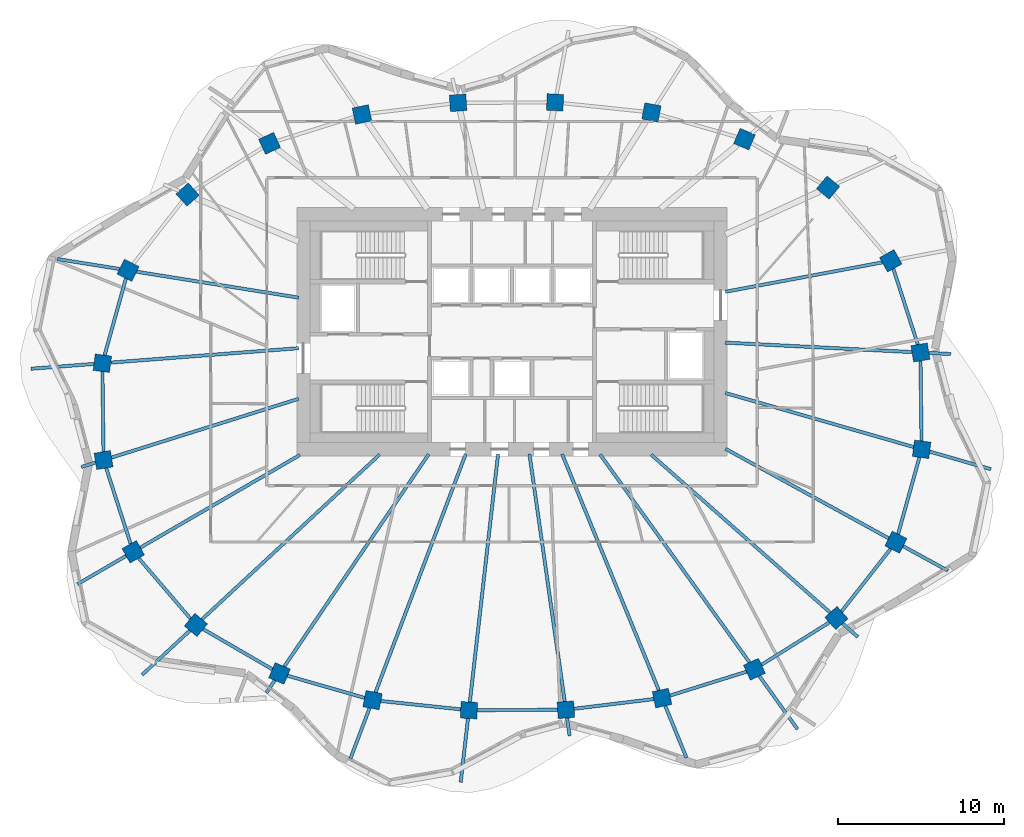
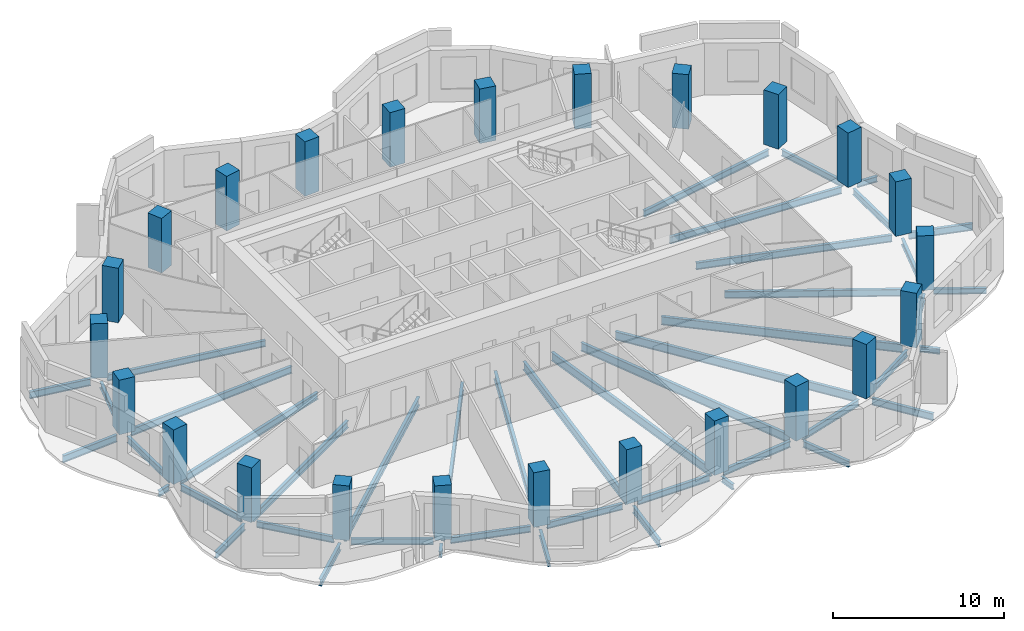
# One storey, part 1 of 10: 46 beams, 24 columns.
"""IFC4 building model written with IfcOpenShell, lengths in metres."""

from ifc_helpers import new_model, si_unit, direction, frame, origin, origin_2d, place, context, subcontext, project, spatial, rectangle, i_section, extrude, material, material_profile, profile_set, type_object, element, save


model = new_model("IFC4")

# Units and contexts
model_context = context("Model", 3, precision=1e-05, world=origin(), true_north=direction((0.0, 1.0)))
body_context = subcontext(model_context, "Body", "Model", "MODEL_VIEW")
ifc_project = project(units=[si_unit("LENGTHUNIT", "METRE"), si_unit("AREAUNIT", "SQUARE_METRE"), si_unit("VOLUMEUNIT", "CUBIC_METRE"), si_unit("PLANEANGLEUNIT", "RADIAN"), si_unit("MASSUNIT", "GRAM", prefix="KILO")], contexts=[model_context])

# Site, building, storey
site_placement = place(None, origin())
site = spatial("IfcSite", under=ifc_project, at=site_placement, CompositionType="ELEMENT")
building_placement = place(site_placement, origin())
building = spatial("IfcBuilding", under=site, at=building_placement, Name="Rubra Terraces Tower", CompositionType="ELEMENT")
storey_placement = place(building_placement, frame((0.0, 0.0, 256.5)))
storey = spatial("IfcBuildingStorey", under=building, at=storey_placement, Name="L63", CompositionType="ELEMENT", Elevation=256.5)

# Columns
ifc_material_1 = material(Name="Concrete C50", Category="concrete")
ifc_material_profile_1 = material_profile(ifc_material_1, rectangle(XDim=1.0, YDim=1.0, at=origin_2d()), Name="RC 1000x1000")
ifc_profile_set_1 = profile_set([ifc_material_profile_1], Name="Concrete C50")
column_type = type_object("IfcColumnType", Name="RING COLUMN RC 1000x1000 C50", PredefinedType="COLUMN", material=ifc_profile_set_1)
for number, where, z_axis, x_axis, name in (
    (1, (24.6689453125, 3.248046875, 0.0), (0.0, 0.0, 1.0), (-0.161559167715, 0.986863027642, 0.0), "column-L63-ring-01"),
    (2, (22.87890625, 8.787109375, 0.0), (0.0, 0.0, 1.0), (-0.48852601316, 0.872549330678, 0.0), "column-L63-ring-02"),
    (3, (19.092041015625, 13.208984375, 0.0), (0.0, 0.0, 1.0), (-0.76886986222, 0.63940529789, 0.0), "column-L63-ring-03"),
    (4, (14.0419921875, 16.135986328125, 0.0), (0.0, 0.0, 1.0), (-0.920167856842, 0.391524092789, 0.0), "column-L63-ring-04"),
    (5, (8.422119140625, 17.7490234375, 0.0), (0.0, 0.0, 1.0), (-0.981654668733, 0.19066754143, 0.0), "column-L63-ring-05"),
    (6, (2.60205078125, 18.35791015625, 0.0), (0.0, 0.0, 1.0), (-0.998764256028, 0.049698700995, 0.0), "column-L63-ring-06"),
    (7, (-3.25390625, 18.330078125, 0.0), (0.0, 0.0, 1.0), (-0.998031548759, -0.062713855578, 0.0), "column-L63-ring-07"),
    (8, (-9.06298828125, 17.625, 0.0), (0.0, 0.0, 1.0), (-0.977652674797, -0.210226657352, 0.0), "column-L63-ring-08"),
    (9, (-14.64306640625, 15.881103515625, 0.0), (0.0, 0.0, 1.0), (-0.908778580451, -0.417278673927, 0.0), "column-L63-ring-09"),
    (10, (-19.593017578125, 12.7900390625, 0.0), (0.0, 0.0, 1.0), (-0.744021317198, -0.668155879683, 0.0), "column-L63-ring-10"),
    (11, (-23.18505859375, 8.2099609375, 0.0), (0.0, 0.0, 1.0), (-0.451027931402, -0.892509834733, 0.0), "column-L63-ring-11"),
    (12, (-24.742919921875, 2.59912109375, 0.0), (0.0, 0.0, 1.0), (-0.128443684554, -0.991716804283, 0.0), "column-L63-ring-12"),
    (13, (-24.6689453125, -3.248046875, 0.0), (0.0, 0.0, 1.0), (0.161559167715, -0.986863027642, 0.0), "column-L63-ring-13"),
    (14, (-22.87890625, -8.787109375, 0.0), (0.0, 0.0, 1.0), (0.48852601316, -0.872549330678, 0.0), "column-L63-ring-14"),
    (15, (-19.092041015625, -13.208984375, 0.0), (0.0, 0.0, 1.0), (0.76886986222, -0.63940529789, 0.0), "column-L63-ring-15"),
    (16, (-14.0419921875, -16.135986328125, 0.0), (0.0, 0.0, 1.0), (0.920167856842, -0.391524092789, 0.0), "column-L63-ring-16"),
    (17, (-8.422119140625, -17.7490234375, 0.0), (0.0, 0.0, 1.0), (0.981654668733, -0.19066754143, 0.0), "column-L63-ring-17"),
    (18, (-2.60205078125, -18.35791015625, 0.0), (0.0, 0.0, 1.0), (0.998764256028, -0.049698700995, 0.0), "column-L63-ring-18"),
    (19, (3.25390625, -18.330078125, 0.0), (0.0, 0.0, 1.0), (0.998031548759, 0.062713855578, 0.0), "column-L63-ring-19"),
    (20, (9.06298828125, -17.625, 0.0), (0.0, 0.0, 1.0), (0.977652674797, 0.210226657352, 0.0), "column-L63-ring-20"),
    (21, (14.64306640625, -15.881103515625, 0.0), (0.0, 0.0, 1.0), (0.908778580451, 0.417278673927, 0.0), "column-L63-ring-21"),
    (22, (19.593017578125, -12.7900390625, 0.0), (0.0, 0.0, 1.0), (0.744021317198, 0.668155879683, 0.0), "column-L63-ring-22"),
    (23, (23.18505859375, -8.2099609375, 0.0), (0.0, 0.0, 1.0), (0.451027931402, 0.892509834733, 0.0), "column-L63-ring-23"),
    (24, (24.742919921875, -2.59912109375, 0.0), (0.0, 0.0, 1.0), (0.128443684554, 0.991716804283, 0.0), "column-L63-ring-24"),
):
    element("IfcColumn", number, at=place(storey_placement, frame(where, z_axis=z_axis, x_axis=x_axis)), inside=storey, type_object=column_type, Name=name, PredefinedType="COLUMN", context=body_context, shape_type="SweptSolid", body=[
        extrude(rectangle(XDim=1.0, YDim=1.0, at=origin_2d()), origin(), (0.0, 0.0, 1.0), 3.89990234375),
    ])

# Beams
ifc_material_2 = material(Name="Steel Q355B", Category="steel")
ifc_material_profile_2 = material_profile(ifc_material_2, i_section(OverallWidth=0.199951171875, OverallDepth=0.39990234375, WebThickness=0.008056640625, FlangeThickness=0.012939453125, at=origin_2d()), Name="HN 400x200x8x13")
ifc_profile_set_2 = profile_set([ifc_material_profile_2], Name="Steel Q355B")
beam_type_1 = type_object("IfcBeamType", Name="CANTILEVER BEAM HN 400x200x8x13", PredefinedType="BEAM", material=ifc_profile_set_2)
beam_1_placement = place(storey_placement, frame((23.6240234375, -8.449951171875, -0.39990234375), z_axis=(0.876753057926, -0.480940823197, 0.0), x_axis=(0.480940823197, 0.876753057926, 0.0)))
element("IfcBeam", 25, at=beam_1_placement, inside=storey, type_object=beam_type_1, Name="beam-L63-cant-23", PredefinedType="BEAM", context=body_context, shape_type="SweptSolid", body=[
    extrude(i_section(OverallWidth=0.199951171875, OverallDepth=0.39990234375, WebThickness=0.008056640625, FlangeThickness=0.012939453125, at=origin_2d()), origin(), (0.0, 0.0, 1.0), 3.0771484375),
])
ifc_material_profile_3 = material_profile(ifc_material_2, i_section(OverallWidth=0.198974609375, OverallDepth=0.446044921875, WebThickness=0.008056640625, FlangeThickness=0.011962890625, at=origin_2d()), Name="HN 446x199x8x12")
ifc_profile_set_3 = profile_set([ifc_material_profile_3], Name="Steel Q355B")
beam_type_2 = type_object("IfcBeamType", Name="CANTILEVER BEAM HN 446x199x8x12", PredefinedType="BEAM", material=ifc_profile_set_3)
beam_2_placement = place(storey_placement, frame((-23.31103515625, -9.0380859375, -0.423095703125), z_axis=(-0.864731547831, -0.50223435783, 0.0), x_axis=(0.50223435783, -0.864731547831, 0.0)))
element("IfcBeam", 26, at=beam_2_placement, inside=storey, type_object=beam_type_2, Name="beam-L63-cant-14", PredefinedType="BEAM", context=body_context, shape_type="SweptSolid", body=[
    extrude(i_section(OverallWidth=0.198974609375, OverallDepth=0.446044921875, WebThickness=0.008056640625, FlangeThickness=0.011962890625, at=origin_2d()), origin(), (0.0, 0.0, 1.0), 3.396484375),
])
beam_3_placement = place(storey_placement, frame((-8.60205078125, -18.222900390625, -0.423095703125), z_axis=(-0.353886787497, -0.935288266597, 0.0), x_axis=(0.935288266597, -0.353886787497, 0.0)))
element("IfcBeam", 27, at=beam_3_placement, inside=storey, type_object=beam_type_2, Name="beam-L63-cant-17", PredefinedType="BEAM", context=body_context, shape_type="SweptSolid", body=[
    extrude(i_section(OverallWidth=0.198974609375, OverallDepth=0.446044921875, WebThickness=0.008056640625, FlangeThickness=0.011962890625, at=origin_2d()), origin(), (0.0, 0.0, 1.0), 3.260986328125),
])
beam_4_placement = place(storey_placement, frame((9.256103515625, -18.094970703125, -0.423095703125), z_axis=(0.378957804719, -0.925413951831, 0.0), x_axis=(0.925413951831, 0.378957804719, 0.0)))
element("IfcBeam", 28, at=beam_4_placement, inside=storey, type_object=beam_type_2, Name="beam-L63-cant-20", PredefinedType="BEAM", context=body_context, shape_type="SweptSolid", body=[
    extrude(i_section(OverallWidth=0.198974609375, OverallDepth=0.446044921875, WebThickness=0.008056640625, FlangeThickness=0.011962890625, at=origin_2d()), origin(), (0.0, 0.0, 1.0), 3.393310546875),
])
ifc_material_profile_4 = material_profile(ifc_material_2, i_section(OverallWidth=0.198974609375, OverallDepth=0.49609375, WebThickness=0.009033203125, FlangeThickness=0.013916015625, at=origin_2d()), Name="HN 496x199x9x14")
ifc_profile_set_4 = profile_set([ifc_material_profile_4], Name="Steel Q355B")
beam_type_3 = type_object("IfcBeamType", Name="CANTILEVER BEAM HN 496x199x9x14", PredefinedType="BEAM", material=ifc_profile_set_4)
beam_5_placement = place(storey_placement, frame((-23.702880859375, 8.29296875, -0.447998046875), z_axis=(-0.98745581053, 0.157895605548, 0.0), x_axis=(-0.157895605548, -0.98745581053, 0.0)))
element("IfcBeam", 29, at=beam_5_placement, inside=storey, type_object=beam_type_3, Name="beam-L63-cant-11", PredefinedType="BEAM", context=body_context, shape_type="SweptSolid", body=[
    extrude(i_section(OverallWidth=0.198974609375, OverallDepth=0.49609375, WebThickness=0.009033203125, FlangeThickness=0.013916015625, at=origin_2d()), origin(), (0.0, 0.0, 1.0), 3.81298828125),
])
beam_6_placement = place(storey_placement, frame((-25.251953125, 2.56005859375, -0.447998046875), z_axis=(-0.997068393292, -0.076515482732, 0.0), x_axis=(0.076515482732, -0.997068393292, 0.0)))
element("IfcBeam", 30, at=beam_6_placement, inside=storey, type_object=beam_type_3, Name="beam-L63-cant-12", PredefinedType="BEAM", context=body_context, shape_type="SweptSolid", body=[
    extrude(i_section(OverallWidth=0.198974609375, OverallDepth=0.49609375, WebThickness=0.009033203125, FlangeThickness=0.013916015625, at=origin_2d()), origin(), (0.0, 0.0, 1.0), 3.816162109375),
])
beam_7_placement = place(storey_placement, frame((-19.4619140625, -13.552001953125, -0.447998046875), z_axis=(-0.733256316267, -0.679952332634, 0.0), x_axis=(0.679952332634, -0.733256316267, 0.0)))
element("IfcBeam", 31, at=beam_7_placement, inside=storey, type_object=beam_type_3, Name="beam-L63-cant-15", PredefinedType="BEAM", context=body_context, shape_type="SweptSolid", body=[
    extrude(i_section(OverallWidth=0.198974609375, OverallDepth=0.49609375, WebThickness=0.009033203125, FlangeThickness=0.013916015625, at=origin_2d()), origin(), (0.0, 0.0, 1.0), 3.92529296875),
])
beam_8_placement = place(storey_placement, frame((-2.658935546875, -18.85595703125, -0.447998046875), z_axis=(-0.113002967093, -0.993594650463, 0.0), x_axis=(0.993594650463, -0.113002967093, 0.0)))
element("IfcBeam", 32, at=beam_8_placement, inside=storey, type_object=beam_type_3, Name="beam-L63-cant-18", PredefinedType="BEAM", context=body_context, shape_type="SweptSolid", body=[
    extrude(i_section(OverallWidth=0.198974609375, OverallDepth=0.49609375, WebThickness=0.009033203125, FlangeThickness=0.013916015625, at=origin_2d()), origin(), (0.0, 0.0, 1.0), 3.8759765625),
])
beam_9_placement = place(storey_placement, frame((14.93994140625, -16.294921875, -0.447998046875), z_axis=(0.583477927211, -0.812128997424, 0.0), x_axis=(0.812128997424, 0.583477927211, 0.0)))
element("IfcBeam", 33, at=beam_9_placement, inside=storey, type_object=beam_type_3, Name="beam-L63-cant-21", PredefinedType="BEAM", context=body_context, shape_type="SweptSolid", body=[
    extrude(i_section(OverallWidth=0.198974609375, OverallDepth=0.49609375, WebThickness=0.009033203125, FlangeThickness=0.013916015625, at=origin_2d()), origin(), (0.0, 0.0, 1.0), 3.9453125),
])
beam_10_placement = place(storey_placement, frame((25.22900390625, -2.738037109375, -0.447998046875), z_axis=(0.961168845491, -0.275960958213, 0.0), x_axis=(0.275960958213, 0.961168845491, 0.0)))
element("IfcBeam", 34, at=beam_10_placement, inside=storey, type_object=beam_type_3, Name="beam-L63-cant-24", PredefinedType="BEAM", context=body_context, shape_type="SweptSolid", body=[
    extrude(i_section(OverallWidth=0.198974609375, OverallDepth=0.49609375, WebThickness=0.009033203125, FlangeThickness=0.013916015625, at=origin_2d()), origin(), (0.0, 0.0, 1.0), 3.848388671875),
])
ifc_material_profile_5 = material_profile(ifc_material_2, i_section(OverallWidth=0.199951171875, OverallDepth=0.39990234375, WebThickness=0.008056640625, FlangeThickness=0.012939453125, at=origin_2d()), Name="HN 400x200x8x13")
ifc_profile_set_5 = profile_set([ifc_material_profile_5], Name="Steel Q355B")
beam_type_4 = type_object("IfcBeamType", Name="CANTILEVER STUB HN 400x200x8x13", PredefinedType="BEAM", material=ifc_profile_set_5)
beam_11_placement = place(storey_placement, frame((25.179931640625, 3.221923828125, -0.39990234375), z_axis=(0.998722263749, -0.050535530982, 0.0), x_axis=(0.050535530982, 0.998722263749, 0.0)))
element("IfcBeam", 35, at=beam_11_placement, inside=storey, type_object=beam_type_4, Name="beam-L63-cant-01", PredefinedType="BEAM", context=body_context, shape_type="SweptSolid", body=[
    extrude(i_section(OverallWidth=0.199951171875, OverallDepth=0.39990234375, WebThickness=0.008056640625, FlangeThickness=0.012939453125, at=origin_2d()), origin(), (0.0, 0.0, 1.0), 1.32373046875),
])
beam_12_placement = place(storey_placement, frame((-25.15087890625, -3.39892578125, -0.39990234375), z_axis=(-0.953893863058, -0.300144128746, 0.0), x_axis=(0.300144128746, -0.953893863058, 0.0)))
element("IfcBeam", 36, at=beam_12_placement, inside=storey, type_object=beam_type_4, Name="beam-L63-cant-13", PredefinedType="BEAM", context=body_context, shape_type="SweptSolid", body=[
    extrude(i_section(OverallWidth=0.199951171875, OverallDepth=0.39990234375, WebThickness=0.008056640625, FlangeThickness=0.012939453125, at=origin_2d()), origin(), (0.0, 0.0, 1.0), 0.899658203125),
])
beam_13_placement = place(storey_placement, frame((-14.3291015625, -16.556884765625, -0.39990234375), z_axis=(-0.56169208574, -0.827346360853, 0.0), x_axis=(0.827346360853, -0.56169208574, 0.0)))
element("IfcBeam", 37, at=beam_13_placement, inside=storey, type_object=beam_type_4, Name="beam-L63-cant-16", PredefinedType="BEAM", context=body_context, shape_type="SweptSolid", body=[
    extrude(i_section(OverallWidth=0.199951171875, OverallDepth=0.39990234375, WebThickness=0.008056640625, FlangeThickness=0.012939453125, at=origin_2d()), origin(), (0.0, 0.0, 1.0), 0.907958984375),
])
beam_14_placement = place(storey_placement, frame((3.324951171875, -18.826904296875, -0.39990234375), z_axis=(0.14107703922, -0.989998620709, 0.0), x_axis=(0.989998620709, 0.14107703922, 0.0)))
element("IfcBeam", 38, at=beam_14_placement, inside=storey, type_object=beam_type_4, Name="beam-L63-cant-19", PredefinedType="BEAM", context=body_context, shape_type="SweptSolid", body=[
    extrude(i_section(OverallWidth=0.199951171875, OverallDepth=0.39990234375, WebThickness=0.008056640625, FlangeThickness=0.012939453125, at=origin_2d()), origin(), (0.0, 0.0, 1.0), 1.092041015625),
])
beam_15_placement = place(storey_placement, frame((19.969970703125, -13.123046875, -0.39990234375), z_axis=(0.749756467988, -0.66171386468, 0.0), x_axis=(0.66171386468, 0.749756467988, 0.0)))
element("IfcBeam", 39, at=beam_15_placement, inside=storey, type_object=beam_type_4, Name="beam-L63-cant-22", PredefinedType="BEAM", context=body_context, shape_type="SweptSolid", body=[
    extrude(i_section(OverallWidth=0.199951171875, OverallDepth=0.39990234375, WebThickness=0.008056640625, FlangeThickness=0.012939453125, at=origin_2d()), origin(), (0.0, 0.0, 1.0), 1.2255859375),
])
ifc_material_profile_6 = material_profile(ifc_material_2, i_section(OverallWidth=0.198974609375, OverallDepth=0.446044921875, WebThickness=0.008056640625, FlangeThickness=0.011962890625, at=origin_2d()), Name="HN 446x199x8x12")
ifc_profile_set_6 = profile_set([ifc_material_profile_6], Name="Steel Q355B")
beam_type_5 = type_object("IfcBeamType", Name="FLOOR BEAM HN 446x199x8x12", PredefinedType="BEAM", material=ifc_profile_set_6)
beam_16_placement = place(storey_placement, frame((22.360107421875, 8.68994140625, -0.423095703125), z_axis=(-0.982895681695, -0.18416318553, 0.0), x_axis=(0.18416318553, -0.982895681695, 0.0)))
element("IfcBeam", 40, at=beam_16_placement, inside=storey, type_object=beam_type_5, Name="beam-L63-floor-02", PredefinedType="BEAM", context=body_context, shape_type="SweptSolid", body=[
    extrude(i_section(OverallWidth=0.198974609375, OverallDepth=0.446044921875, WebThickness=0.008056640625, FlangeThickness=0.011962890625, at=origin_2d()), origin(), (0.0, 0.0, 1.0), 9.64306640625),
])
beam_17_placement = place(storey_placement, frame((-22.6669921875, 8.126953125, -0.423095703125), z_axis=(0.987435404133, -0.158023171289, 0.0), x_axis=(0.158023171289, 0.987435404133, 0.0)))
element("IfcBeam", 41, at=beam_17_placement, inside=storey, type_object=beam_type_5, Name="beam-L63-floor-11", PredefinedType="BEAM", context=body_context, shape_type="SweptSolid", body=[
    extrude(i_section(OverallWidth=0.198974609375, OverallDepth=0.446044921875, WebThickness=0.008056640625, FlangeThickness=0.011962890625, at=origin_2d()), origin(), (0.0, 0.0, 1.0), 9.909423828125),
])
ifc_material_profile_7 = material_profile(ifc_material_2, i_section(OverallWidth=0.198974609375, OverallDepth=0.49609375, WebThickness=0.009033203125, FlangeThickness=0.013916015625, at=origin_2d()), Name="HN 496x199x9x14")
ifc_profile_set_7 = profile_set([ifc_material_profile_7], Name="Steel Q355B")
beam_type_6 = type_object("IfcBeamType", Name="FLOOR BEAM HN 496x199x9x14", PredefinedType="BEAM", material=ifc_profile_set_7)
beam_18_placement = place(storey_placement, frame((24.157958984375, 3.27392578125, -0.447998046875), z_axis=(-0.998716228561, 0.050654662269, 0.0), x_axis=(-0.050654662269, -0.998716228561, 0.0)))
element("IfcBeam", 42, at=beam_18_placement, inside=storey, type_object=beam_type_6, Name="beam-L63-floor-01", PredefinedType="BEAM", context=body_context, shape_type="SweptSolid", body=[
    extrude(i_section(OverallWidth=0.198974609375, OverallDepth=0.49609375, WebThickness=0.009033203125, FlangeThickness=0.013916015625, at=origin_2d()), origin(), (0.0, 0.0, 1.0), 11.29248046875),
])
beam_19_placement = place(storey_placement, frame((-24.23388671875, 2.637939453125, -0.447998046875), z_axis=(0.997063306908, 0.076581734234, 0.0), x_axis=(-0.076581734234, 0.997063306908, 0.0)))
element("IfcBeam", 43, at=beam_19_placement, inside=storey, type_object=beam_type_6, Name="beam-L63-floor-12", PredefinedType="BEAM", context=body_context, shape_type="SweptSolid", body=[
    extrude(i_section(OverallWidth=0.198974609375, OverallDepth=0.49609375, WebThickness=0.009033203125, FlangeThickness=0.013916015625, at=origin_2d()), origin(), (0.0, 0.0, 1.0), 11.387451171875),
])
beam_20_placement = place(storey_placement, frame((-24.18701171875, -3.096923828125, -0.447998046875), z_axis=(0.954040699023, 0.299677067204, 0.0), x_axis=(-0.299677067204, 0.954040699023, 0.0)))
element("IfcBeam", 44, at=beam_20_placement, inside=storey, type_object=beam_type_6, Name="beam-L63-floor-13", PredefinedType="BEAM", context=body_context, shape_type="SweptSolid", body=[
    extrude(i_section(OverallWidth=0.198974609375, OverallDepth=0.49609375, WebThickness=0.009033203125, FlangeThickness=0.013916015625, at=origin_2d()), origin(), (0.0, 0.0, 1.0), 11.845458984375),
])
beam_21_placement = place(storey_placement, frame((-22.447021484375, -8.535888671875, -0.447998046875), z_axis=(0.864755491844, 0.502193129508, 0.0), x_axis=(-0.502193129508, 0.864755491844, 0.0)))
element("IfcBeam", 45, at=beam_21_placement, inside=storey, type_object=beam_type_6, Name="beam-L63-floor-14", PredefinedType="BEAM", context=body_context, shape_type="SweptSolid", body=[
    extrude(i_section(OverallWidth=0.198974609375, OverallDepth=0.49609375, WebThickness=0.009033203125, FlangeThickness=0.013916015625, at=origin_2d()), origin(), (0.0, 0.0, 1.0), 11.14306640625),
])
beam_22_placement = place(storey_placement, frame((22.74609375, -7.969970703125, -0.447998046875), z_axis=(-0.876862055903, 0.480742066932, 0.0), x_axis=(-0.480742066932, -0.876862055903, 0.0)))
element("IfcBeam", 46, at=beam_22_placement, inside=storey, type_object=beam_type_6, Name="beam-L63-floor-23", PredefinedType="BEAM", context=body_context, shape_type="SweptSolid", body=[
    extrude(i_section(OverallWidth=0.198974609375, OverallDepth=0.49609375, WebThickness=0.009033203125, FlangeThickness=0.013916015625, at=origin_2d()), origin(), (0.0, 0.0, 1.0), 11.234375),
])
beam_23_placement = place(storey_placement, frame((24.257080078125, -2.4599609375, -0.447998046875), z_axis=(-0.961215754667, 0.275797521707, 0.0), x_axis=(-0.275797521707, -0.961215754667, 0.0)))
element("IfcBeam", 47, at=beam_23_placement, inside=storey, type_object=beam_type_6, Name="beam-L63-floor-24", PredefinedType="BEAM", context=body_context, shape_type="SweptSolid", body=[
    extrude(i_section(OverallWidth=0.198974609375, OverallDepth=0.49609375, WebThickness=0.009033203125, FlangeThickness=0.013916015625, at=origin_2d()), origin(), (0.0, 0.0, 1.0), 11.830810546875),
])
ifc_material_profile_8 = material_profile(ifc_material_2, i_section(OverallWidth=0.198974609375, OverallDepth=0.595947265625, WebThickness=0.010009765625, FlangeThickness=0.014892578125, at=origin_2d()), Name="HN 596x199x10x15")
ifc_profile_set_8 = profile_set([ifc_material_profile_8], Name="Steel Q355B")
beam_type_7 = type_object("IfcBeamType", Name="FLOOR BEAM HN 596x199x10x15", PredefinedType="BEAM", material=ifc_profile_set_8)
beam_24_placement = place(storey_placement, frame((-18.721923828125, -12.865966796875, -0.498046875), z_axis=(0.733130458484, 0.680088031687, 0.0), x_axis=(-0.680088031687, 0.733130458484, 0.0)))
element("IfcBeam", 48, at=beam_24_placement, inside=storey, type_object=beam_type_7, Name="beam-L63-floor-15", PredefinedType="BEAM", context=body_context, shape_type="SweptSolid", body=[
    extrude(i_section(OverallWidth=0.198974609375, OverallDepth=0.595947265625, WebThickness=0.010009765625, FlangeThickness=0.014892578125, at=origin_2d()), origin(), (0.0, 0.0, 1.0), 14.62744140625),
])
beam_25_placement = place(storey_placement, frame((-13.7548828125, -15.715087890625, -0.498046875), z_axis=(0.562545242124, 0.826766503049, 0.0), x_axis=(-0.826766503049, 0.562545242124, 0.0)))
element("IfcBeam", 49, at=beam_25_placement, inside=storey, type_object=beam_type_7, Name="beam-L63-floor-16", PredefinedType="BEAM", context=body_context, shape_type="SweptSolid", body=[
    extrude(i_section(OverallWidth=0.198974609375, OverallDepth=0.595947265625, WebThickness=0.010009765625, FlangeThickness=0.014892578125, at=origin_2d()), origin(), (0.0, 0.0, 1.0), 15.499267578125),
])
beam_26_placement = place(storey_placement, frame((-8.241943359375, -17.27490234375, -0.498046875), z_axis=(0.353955134415, 0.93526240319, 0.0), x_axis=(-0.93526240319, 0.353955134415, 0.0)))
element("IfcBeam", 50, at=beam_26_placement, inside=storey, type_object=beam_type_7, Name="beam-L63-floor-17", PredefinedType="BEAM", context=body_context, shape_type="SweptSolid", body=[
    extrude(i_section(OverallWidth=0.198974609375, OverallDepth=0.595947265625, WebThickness=0.010009765625, FlangeThickness=0.014892578125, at=origin_2d()), origin(), (0.0, 0.0, 1.0), 15.3828125),
])
beam_27_placement = place(storey_placement, frame((-2.544921875, -17.860107421875, -0.498046875), z_axis=(0.113084825914, 0.993585337124, 0.0), x_axis=(-0.993585337124, 0.113084825914, 0.0)))
element("IfcBeam", 51, at=beam_27_placement, inside=storey, type_object=beam_type_7, Name="beam-L63-floor-18", PredefinedType="BEAM", context=body_context, shape_type="SweptSolid", body=[
    extrude(i_section(OverallWidth=0.198974609375, OverallDepth=0.595947265625, WebThickness=0.010009765625, FlangeThickness=0.014892578125, at=origin_2d()), origin(), (0.0, 0.0, 1.0), 15.07568359375),
])
beam_28_placement = place(storey_placement, frame((3.18310546875, -17.8330078125, -0.498046875), z_axis=(-0.141104514479, 0.989994705033, 0.0), x_axis=(-0.989994705033, -0.141104514479, 0.0)))
element("IfcBeam", 52, at=beam_28_placement, inside=storey, type_object=beam_type_7, Name="beam-L63-floor-19", PredefinedType="BEAM", context=body_context, shape_type="SweptSolid", body=[
    extrude(i_section(OverallWidth=0.198974609375, OverallDepth=0.595947265625, WebThickness=0.010009765625, FlangeThickness=0.014892578125, at=origin_2d()), origin(), (0.0, 0.0, 1.0), 15.10302734375),
])
beam_29_placement = place(storey_placement, frame((8.8701171875, -17.155029296875, -0.498046875), z_axis=(-0.379015131933, 0.925390474214, 0.0), x_axis=(-0.925390474214, -0.379015131933, 0.0)))
element("IfcBeam", 53, at=beam_29_placement, inside=storey, type_object=beam_type_7, Name="beam-L63-floor-20", PredefinedType="BEAM", context=body_context, shape_type="SweptSolid", body=[
    extrude(i_section(OverallWidth=0.198974609375, OverallDepth=0.595947265625, WebThickness=0.010009765625, FlangeThickness=0.014892578125, at=origin_2d()), origin(), (0.0, 0.0, 1.0), 15.416259765625),
])
beam_30_placement = place(storey_placement, frame((14.345947265625, -15.467041015625, -0.498046875), z_axis=(-0.583528740197, 0.812092488183, 0.0), x_axis=(-0.812092488183, -0.583528740197, 0.0)))
element("IfcBeam", 54, at=beam_30_placement, inside=storey, type_object=beam_type_7, Name="beam-L63-floor-21", PredefinedType="BEAM", context=body_context, shape_type="SweptSolid", body=[
    extrude(i_section(OverallWidth=0.198974609375, OverallDepth=0.595947265625, WebThickness=0.010009765625, FlangeThickness=0.014892578125, at=origin_2d()), origin(), (0.0, 0.0, 1.0), 15.47119140625),
])
beam_31_placement = place(storey_placement, frame((19.216064453125, -12.45703125, -0.498046875), z_axis=(-0.749823025288, 0.661638444128, 0.0), x_axis=(-0.661638444128, -0.749823025288, 0.0)))
element("IfcBeam", 55, at=beam_31_placement, inside=storey, type_object=beam_type_7, Name="beam-L63-floor-22", PredefinedType="BEAM", context=body_context, shape_type="SweptSolid", body=[
    extrude(i_section(OverallWidth=0.198974609375, OverallDepth=0.595947265625, WebThickness=0.010009765625, FlangeThickness=0.014892578125, at=origin_2d()), origin(), (0.0, 0.0, 1.0), 14.412841796875),
])
ifc_material_profile_9 = material_profile(ifc_material_2, i_section(OverallWidth=0.198974609375, OverallDepth=0.446044921875, WebThickness=0.008056640625, FlangeThickness=0.011962890625, at=origin_2d()), Name="HN 446x199x8x12")
ifc_profile_set_9 = profile_set([ifc_material_profile_9], Name="Steel Q355B")
beam_type_8 = type_object("IfcBeamType", Name="SPANDREL BEAM HN 446x199x8x12", PredefinedType="SPANDREL", material=ifc_profile_set_9)
beam_32_placement = place(storey_placement, frame((24.512939453125, 3.72900390625, -0.423095703125), z_axis=(-0.307359002872, 0.951593633519, 0.0), x_axis=(-0.951593633519, -0.307359002872, 0.0)))
element("IfcBeam", 56, at=beam_32_placement, inside=storey, type_object=beam_type_8, Name="beam-L63-spandrel-01", PredefinedType="SPANDREL", context=body_context, shape_type="SweptSolid", body=[
    extrude(i_section(OverallWidth=0.198974609375, OverallDepth=0.446044921875, WebThickness=0.008056640625, FlangeThickness=0.011962890625, at=origin_2d()), origin(), (0.0, 0.0, 1.0), 4.8056640625),
])
beam_33_placement = place(storey_placement, frame((-23.321044921875, 7.718994140625, -0.423095703125), z_axis=(-0.267625533012, -0.963523001324, 0.0), x_axis=(0.963523001324, -0.267625533012, 0.0)))
element("IfcBeam", 57, at=beam_33_placement, inside=storey, type_object=beam_type_8, Name="beam-L63-spandrel-11", PredefinedType="SPANDREL", context=body_context, shape_type="SweptSolid", body=[
    extrude(i_section(OverallWidth=0.198974609375, OverallDepth=0.446044921875, WebThickness=0.008056640625, FlangeThickness=0.011962890625, at=origin_2d()), origin(), (0.0, 0.0, 1.0), 4.808349609375),
])
beam_34_placement = place(storey_placement, frame((-24.737060546875, 2.093994140625, -0.423095703125), z_axis=(0.012822047643, -0.999917794168, 0.0), x_axis=(0.999917794168, 0.012822047643, 0.0)))
element("IfcBeam", 58, at=beam_34_placement, inside=storey, type_object=beam_type_8, Name="beam-L63-spandrel-12", PredefinedType="SPANDREL", context=body_context, shape_type="SweptSolid", body=[
    extrude(i_section(OverallWidth=0.198974609375, OverallDepth=0.446044921875, WebThickness=0.008056640625, FlangeThickness=0.011962890625, at=origin_2d()), origin(), (0.0, 0.0, 1.0), 4.83642578125),
])
beam_35_placement = place(storey_placement, frame((-24.512939453125, -3.72900390625, -0.423095703125), z_axis=(0.307359002872, -0.951593633519, 0.0), x_axis=(0.951593633519, 0.307359002872, 0.0)))
element("IfcBeam", 59, at=beam_35_placement, inside=storey, type_object=beam_type_8, Name="beam-L63-spandrel-13", PredefinedType="SPANDREL", context=body_context, shape_type="SweptSolid", body=[
    extrude(i_section(OverallWidth=0.198974609375, OverallDepth=0.446044921875, WebThickness=0.008056640625, FlangeThickness=0.011962890625, at=origin_2d()), origin(), (0.0, 0.0, 1.0), 4.8056640625),
])
beam_36_placement = place(storey_placement, frame((-22.547119140625, -9.174072265625, -0.423095703125), z_axis=(0.650372836218, -0.759615148552, 0.0), x_axis=(0.759615148552, 0.650372836218, 0.0)))
element("IfcBeam", 60, at=beam_36_placement, inside=storey, type_object=beam_type_8, Name="beam-L63-spandrel-14", PredefinedType="SPANDREL", context=body_context, shape_type="SweptSolid", body=[
    extrude(i_section(OverallWidth=0.198974609375, OverallDepth=0.446044921875, WebThickness=0.008056640625, FlangeThickness=0.011962890625, at=origin_2d()), origin(), (0.0, 0.0, 1.0), 4.804931640625),
])
beam_37_placement = place(storey_placement, frame((-18.653076171875, -13.462890625, -0.423095703125), z_axis=(0.865153680787, -0.501506838059, 0.0), x_axis=(0.501506838059, 0.865153680787, 0.0)))
element("IfcBeam", 61, at=beam_37_placement, inside=storey, type_object=beam_type_8, Name="beam-L63-spandrel-15", PredefinedType="SPANDREL", context=body_context, shape_type="SweptSolid", body=[
    extrude(i_section(OverallWidth=0.198974609375, OverallDepth=0.446044921875, WebThickness=0.008056640625, FlangeThickness=0.011962890625, at=origin_2d()), origin(), (0.0, 0.0, 1.0), 4.82568359375),
])
beam_38_placement = place(storey_placement, frame((-13.55810546875, -16.27490234375, -0.423095703125), z_axis=(0.961171164323, -0.275952881621, 0.0), x_axis=(0.275952881621, 0.961171164323, 0.0)))
element("IfcBeam", 62, at=beam_38_placement, inside=storey, type_object=beam_type_8, Name="beam-L63-spandrel-16", PredefinedType="SPANDREL", context=body_context, shape_type="SweptSolid", body=[
    extrude(i_section(OverallWidth=0.198974609375, OverallDepth=0.446044921875, WebThickness=0.008056640625, FlangeThickness=0.011962890625, at=origin_2d()), origin(), (0.0, 0.0, 1.0), 4.842041015625),
])
beam_39_placement = place(storey_placement, frame((-7.923095703125, -17.801025390625, -0.423095703125), z_axis=(0.994565426955, -0.104113454971, 0.0), x_axis=(0.104113454971, 0.994565426955, 0.0)))
element("IfcBeam", 63, at=beam_39_placement, inside=storey, type_object=beam_type_8, Name="beam-L63-spandrel-17", PredefinedType="SPANDREL", context=body_context, shape_type="SweptSolid", body=[
    extrude(i_section(OverallWidth=0.198974609375, OverallDepth=0.446044921875, WebThickness=0.008056640625, FlangeThickness=0.011962890625, at=origin_2d()), origin(), (0.0, 0.0, 1.0), 4.849365234375),
])
beam_40_placement = place(storey_placement, frame((-2.10107421875, -18.35595703125, -0.423095703125), z_axis=(0.999987852299, 0.004929021704, 0.0), x_axis=(-0.004929021704, 0.999987852299, 0.0)))
element("IfcBeam", 64, at=beam_40_placement, inside=storey, type_object=beam_type_8, Name="beam-L63-spandrel-18", PredefinedType="SPANDREL", context=body_context, shape_type="SweptSolid", body=[
    extrude(i_section(OverallWidth=0.198974609375, OverallDepth=0.446044921875, WebThickness=0.008056640625, FlangeThickness=0.011962890625, at=origin_2d()), origin(), (0.0, 0.0, 1.0), 4.85400390625),
])
beam_41_placement = place(storey_placement, frame((3.7509765625, -18.27001953125, -0.423095703125), z_axis=(0.992698018573, 0.120626049929, 0.0), x_axis=(-0.120626049929, 0.992698018573, 0.0)))
element("IfcBeam", 65, at=beam_41_placement, inside=storey, type_object=beam_type_8, Name="beam-L63-spandrel-19", PredefinedType="SPANDREL", context=body_context, shape_type="SweptSolid", body=[
    extrude(i_section(OverallWidth=0.198974609375, OverallDepth=0.446044921875, WebThickness=0.008056640625, FlangeThickness=0.011962890625, at=origin_2d()), origin(), (0.0, 0.0, 1.0), 4.849365234375),
])
beam_42_placement = place(storey_placement, frame((9.5419921875, -17.47509765625, -0.423095703125), z_axis=(0.954462027342, 0.298332429282, 0.0), x_axis=(-0.298332429282, 0.954462027342, 0.0)))
element("IfcBeam", 66, at=beam_42_placement, inside=storey, type_object=beam_type_8, Name="beam-L63-spandrel-20", PredefinedType="SPANDREL", context=body_context, shape_type="SweptSolid", body=[
    extrude(i_section(OverallWidth=0.198974609375, OverallDepth=0.446044921875, WebThickness=0.008056640625, FlangeThickness=0.011962890625, at=origin_2d()), origin(), (0.0, 0.0, 1.0), 4.840576171875),
])
beam_43_placement = place(storey_placement, frame((15.071044921875, -15.614013671875, -0.423095703125), z_axis=(0.848183088492, 0.529703170083, 0.0), x_axis=(-0.529703170083, 0.848183088492, 0.0)))
element("IfcBeam", 67, at=beam_43_placement, inside=storey, type_object=beam_type_8, Name="beam-L63-spandrel-21", PredefinedType="SPANDREL", context=body_context, shape_type="SweptSolid", body=[
    extrude(i_section(OverallWidth=0.198974609375, OverallDepth=0.446044921875, WebThickness=0.008056640625, FlangeThickness=0.011962890625, at=origin_2d()), origin(), (0.0, 0.0, 1.0), 4.8232421875),
])
beam_44_placement = place(storey_placement, frame((19.906005859375, -12.39111328125, -0.423095703125), z_axis=(0.617060338015, 0.786915840004, 0.0), x_axis=(-0.786915840004, 0.617060338015, 0.0)))
element("IfcBeam", 68, at=beam_44_placement, inside=storey, type_object=beam_type_8, Name="beam-L63-spandrel-22", PredefinedType="SPANDREL", context=body_context, shape_type="SweptSolid", body=[
    extrude(i_section(OverallWidth=0.198974609375, OverallDepth=0.446044921875, WebThickness=0.008056640625, FlangeThickness=0.011962890625, at=origin_2d()), origin(), (0.0, 0.0, 1.0), 4.8037109375),
])
beam_45_placement = place(storey_placement, frame((23.321044921875, -7.718994140625, -0.423095703125), z_axis=(0.267625533012, 0.963523001324, 0.0), x_axis=(-0.963523001324, 0.267625533012, 0.0)))
element("IfcBeam", 69, at=beam_45_placement, inside=storey, type_object=beam_type_8, Name="beam-L63-spandrel-23", PredefinedType="SPANDREL", context=body_context, shape_type="SweptSolid", body=[
    extrude(i_section(OverallWidth=0.198974609375, OverallDepth=0.446044921875, WebThickness=0.008056640625, FlangeThickness=0.011962890625, at=origin_2d()), origin(), (0.0, 0.0, 1.0), 4.808349609375),
])
beam_46_placement = place(storey_placement, frame((24.737060546875, -2.093994140625, -0.423095703125), z_axis=(-0.012822047643, 0.999917794168, 0.0), x_axis=(-0.999917794168, -0.012822047643, 0.0)))
element("IfcBeam", 70, at=beam_46_placement, inside=storey, type_object=beam_type_8, Name="beam-L63-spandrel-24", PredefinedType="SPANDREL", context=body_context, shape_type="SweptSolid", body=[
    extrude(i_section(OverallWidth=0.198974609375, OverallDepth=0.446044921875, WebThickness=0.008056640625, FlangeThickness=0.011962890625, at=origin_2d()), origin(), (0.0, 0.0, 1.0), 4.83642578125),
])

save(model, "model.ifc")
